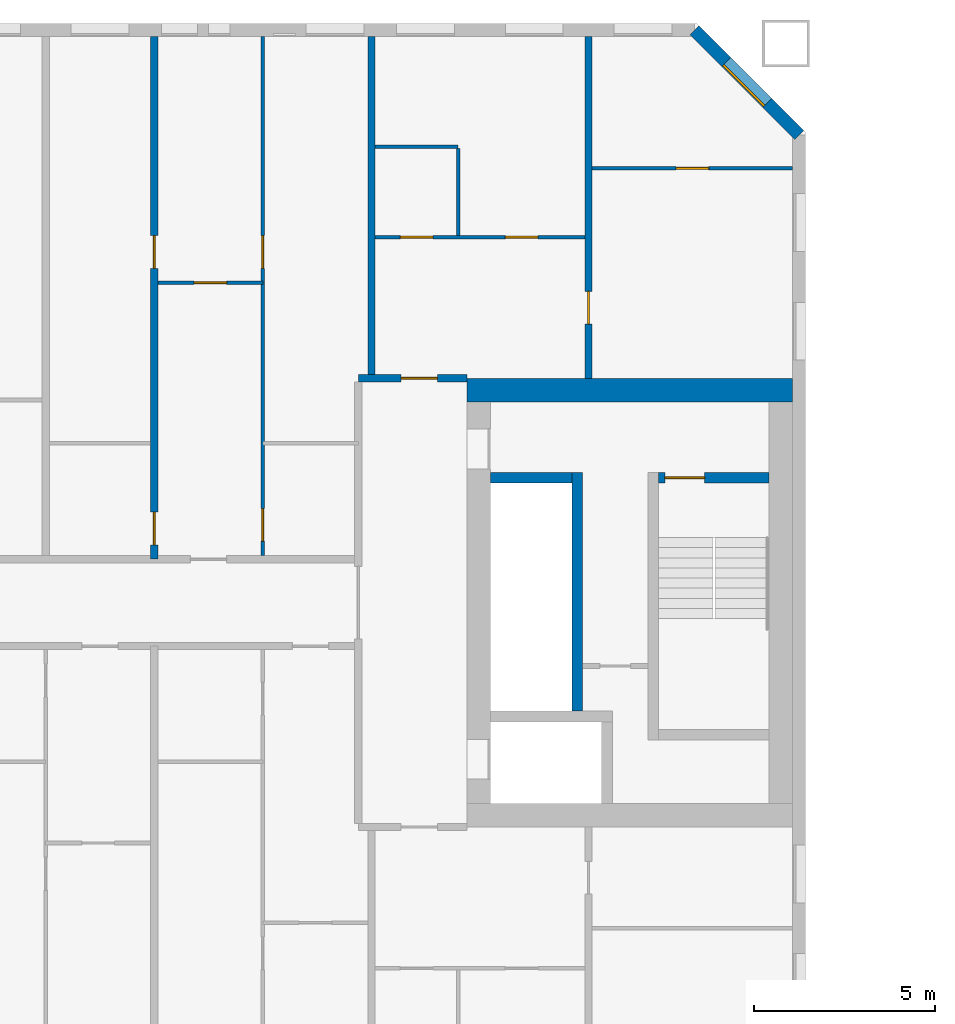
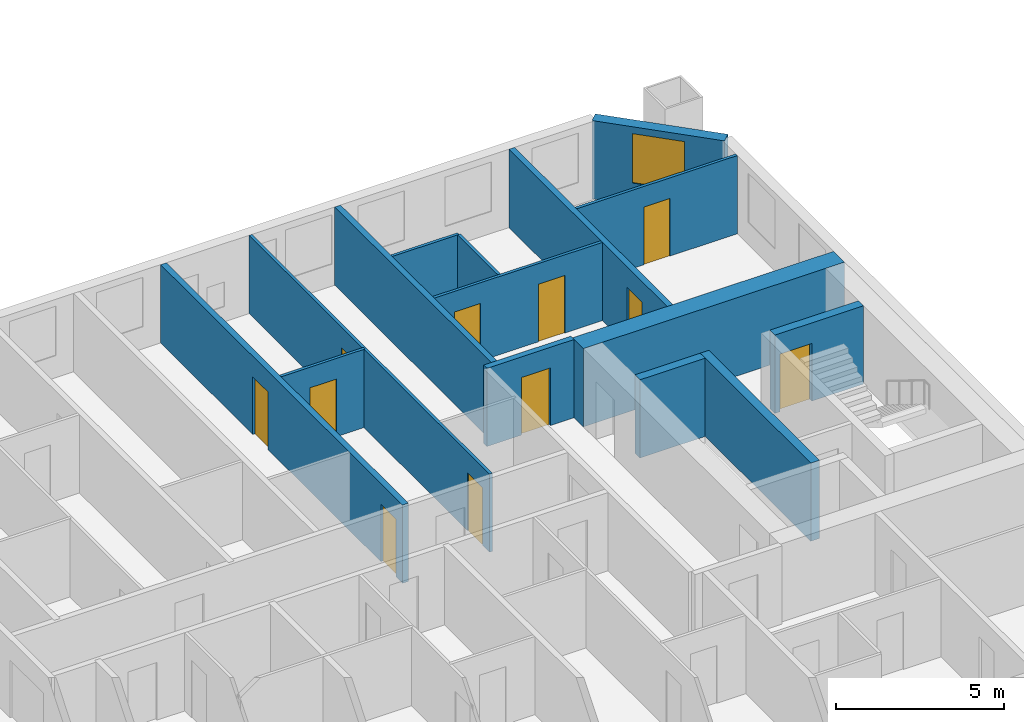
# One storey, part 8 of 17: 15 walls, 11 doors, 1 window, 12 openings.
"""IFC4 building model written with IfcOpenShell, lengths in metres."""

from ifc_helpers import new_model, si_unit, direction, frame, frame_2d, origin, place, context, subcontext, project, spatial, rectangle, extrude, material, layer, layer_set, type_object, element, fill, save


model = new_model("IFC4")

# Units and contexts
model_context = context("Model", 3, precision=1e-05, world=origin(), true_north=direction((0.0, 1.0)))
body_context = subcontext(model_context, "Body", "Model", "MODEL_VIEW")
ifc_project = project(units=[si_unit("LENGTHUNIT", "METRE"), si_unit("AREAUNIT", "SQUARE_METRE"), si_unit("VOLUMEUNIT", "CUBIC_METRE"), si_unit("PLANEANGLEUNIT", "RADIAN"), si_unit("MASSUNIT", "GRAM", prefix="KILO")], contexts=[model_context])

# Site, building, storey
site_placement = place(None, origin())
site = spatial("IfcSite", under=ifc_project, at=site_placement, CompositionType="ELEMENT")
building_placement = place(site_placement, origin())
building = spatial("IfcBuilding", under=site, at=building_placement, Name="Tuart Gate Housing", CompositionType="ELEMENT")
storey_placement = place(building_placement, frame((0.0, 0.0, 105.699951171875)))
storey = spatial("IfcBuildingStorey", under=building, at=storey_placement, Name="L29", CompositionType="ELEMENT", Elevation=105.699951171875)

# Wall, opening, window
ifc_material_1 = material(Name="Brick", Category="masonry")
ifc_layer_1 = layer(ifc_material_1, 0.360107421875)
ifc_layer_set_1 = layer_set([ifc_layer_1], Name="Brick pier and spandrel wall 360")
wall_type_1 = type_object("IfcWallType", Name="Brick pier and spandrel wall 360", PredefinedType="STANDARD", material=ifc_layer_set_1)
wall_1_placement = place(storey_placement, frame((75.820068359375, 82.92529296875, 0.0), z_axis=(0.0, 0.0, 1.0), x_axis=(-0.707106781187, 0.707106781187, 0.0)))
wall_1 = element("IfcWall", 1, at=wall_1_placement, inside=storey, type_object=wall_type_1, Name="External wall A-NE L29", PredefinedType="STANDARD", context=body_context, shape_type="SweptSolid", body=[
    extrude(rectangle(XDim=4.09375, YDim=0.360107421875, at=frame_2d((2.046875, 0.0))), origin(), (0.0, 0.0, 1.0), 2.85009765625),
])
opening_1_placement = place(wall_1_placement, frame((1.2470703125, 0.0, 0.800048828125)))
opening_1 = element("IfcOpeningElement", 2, at=opening_1_placement, cuts=wall_1, Name="Opening W1", PredefinedType="OPENING", context=body_context, shape_type="SweptSolid", body=[
    extrude(rectangle(XDim=1.60009765625, YDim=1.800048828125, at=frame_2d((0.800048828125, 0.89990234375))), frame((0.0, 0.18994140625, 0.0), z_axis=(0.0, -1.0, 0.0), x_axis=(1.0, 0.0, 0.0)), (0.0, 0.0, 1.0), 0.380126953125),
])
ifc_material_2 = material(Name="Aluminium frame with clear glass", Category="aluminium")
window_type = type_object("IfcWindowType", Name="Punched window 1600 x 1800", PartitioningType="SINGLE_PANEL", PredefinedType="WINDOW", material=ifc_material_2)
window_placement = place(opening_1_placement, origin())
window = element("IfcWindow", 3, at=window_placement, inside=storey, type_object=window_type, Name="Window W1", OverallHeight=1.800048828125, OverallWidth=1.60009765625, PartitioningType="SINGLE_PANEL", PredefinedType="WINDOW", context=body_context, shape_type="SweptSolid", body=[
    extrude(rectangle(XDim=1.60009765625, YDim=1.800048828125, at=frame_2d((0.800048828125, 0.89990234375))), frame((0.0, 0.150146484375, 0.0), z_axis=(0.0, -1.0, 0.0), x_axis=(1.0, 0.0, 0.0)), (0.0, 0.0, 1.0), 0.06005859375),
])
fill(opening_1, window)

# Wall
ifc_material_3 = material(Name="Concrete C50", Category="concrete")
ifc_layer_2 = layer(ifc_material_3, 0.300048828125)
ifc_layer_set_2 = layer_set([ifc_layer_2], Name="Core wall 300 C50")
wall_type_2 = type_object("IfcWallType", Name="Core wall 300 C50", PredefinedType="SHEAR", material=ifc_layer_set_2)
wall_2_placement = place(storey_placement, frame((67.2900390625, 73.449951171875, 0.0), z_axis=(0.0, 0.0, 1.0), x_axis=(1.0, 0.0, 0.0)))
element("IfcWall", 4, at=wall_2_placement, inside=storey, type_object=wall_type_2, Name="Core wall AG.4", PredefinedType="SHEAR", context=body_context, shape_type="SweptSolid", body=[
    extrude(rectangle(XDim=2.25, YDim=0.300048828125, at=frame_2d((1.125, 0.0))), origin(), (0.0, 0.0, 1.0), 2.85009765625),
])

# Wall, opening, door
wall_3_placement = place(storey_placement, frame((71.93994140625, 73.449951171875, 0.0), z_axis=(0.0, 0.0, 1.0), x_axis=(1.0, 0.0, 0.0)))
wall_3 = element("IfcWall", 5, at=wall_3_placement, inside=storey, type_object=wall_type_2, Name="Core wall AG.5", PredefinedType="SHEAR", context=body_context, shape_type="SweptSolid", body=[
    extrude(rectangle(XDim=3.050048828125, YDim=0.300048828125, at=frame_2d((1.52490234375, 0.0))), origin(), (0.0, 0.0, 1.0), 2.85009765625),
])
opening_2_placement = place(wall_3_placement, frame((0.169921875, 0.0, 0.0)))
opening_2 = element("IfcOpeningElement", 6, at=opening_2_placement, cuts=wall_3, Name="Opening D1201", PredefinedType="OPENING", context=body_context, shape_type="SweptSolid", body=[
    extrude(rectangle(XDim=1.10009765625, YDim=2.10009765625, at=frame_2d((0.550048828125, 1.050048828125))), frame((0.0, 0.159912109375, 0.0), z_axis=(0.0, -1.0, 0.0), x_axis=(1.0, 0.0, 0.0)), (0.0, 0.0, 1.0), 0.320068359375),
])
ifc_material_4 = material(Name="Steel fire door", Category="steel")
door_type_1 = type_object("IfcDoorType", Name="Stair door 1100 x 2100 RH", OperationType="SINGLE_SWING_RIGHT", PredefinedType="DOOR", material=ifc_material_4)
door_1_placement = place(opening_2_placement, frame((1.10009765625, 0.0, 0.0), z_axis=(0.0, 0.0, 1.0), x_axis=(-1.0, 0.0, 0.0)))
door_1 = element("IfcDoor", 7, at=door_1_placement, inside=storey, type_object=door_type_1, Name="Stair door AG.SD", OperationType="SINGLE_SWING_RIGHT", OverallHeight=2.10009765625, OverallWidth=1.10009765625, PredefinedType="DOOR", context=body_context, shape_type="SweptSolid", body=[
    extrude(rectangle(XDim=1.10009765625, YDim=2.10009765625, at=frame_2d((0.550048828125, 1.050048828125))), frame((0.0, 0.025146484375, 0.0), z_axis=(0.0, -1.0, 0.0), x_axis=(1.0, 0.0, 0.0)), (0.0, 0.0, 1.0), 0.050048828125),
])
fill(opening_2, door_1)

# Walls
wall_4_placement = place(storey_placement, frame((69.68994140625, 67.0, 0.0), z_axis=(0.0, 0.0, 1.0), x_axis=(0.0, 1.0, 0.0)))
element("IfcWall", 8, at=wall_4_placement, inside=storey, type_object=wall_type_2, Name="Core wall AG.6", PredefinedType="SHEAR", context=body_context, shape_type="SweptSolid", body=[
    extrude(rectangle(XDim=6.60009765625, YDim=0.300048828125, at=frame_2d((3.300048828125, 0.0))), origin(), (0.0, 0.0, 1.0), 2.85009765625),
])
ifc_material_5 = material(Name="Concrete C50", Category="concrete")
ifc_layer_3 = layer(ifc_material_5, 0.64990234375)
ifc_layer_set_3 = layer_set([ifc_layer_3], Name="Core wall 650 C50")
wall_type_3 = type_object("IfcWallType", Name="Core wall 650 C50", PredefinedType="SHEAR", material=ifc_layer_set_3)
wall_5_placement = place(storey_placement, frame((66.639892578125, 75.875, 0.0), z_axis=(0.0, 0.0, 1.0), x_axis=(1.0, 0.0, 0.0)))
element("IfcWall", 9, at=wall_5_placement, inside=storey, type_object=wall_type_3, Name="Core wall AG north", PredefinedType="SHEAR", context=body_context, shape_type="SweptSolid", body=[
    extrude(rectangle(XDim=9.0, YDim=0.64990234375, at=frame_2d((4.5, 0.0))), origin(), (0.0, 0.0, 1.0), 2.85009765625),
])

# Wall, opening, door
ifc_material_6 = material(Name="Concrete masonry 15 MPa", Category="masonry")
ifc_layer_4 = layer(ifc_material_6, 0.199951171875)
ifc_layer_set_4 = layer_set([ifc_layer_4], Name="Enclosure wall masonry 200")
wall_type_4 = type_object("IfcWallType", Name="Enclosure wall masonry 200", PredefinedType="PARTITIONING", material=ifc_layer_set_4)
wall_6_placement = place(storey_placement, frame((63.639892578125, 76.199951171875, 0.0), z_axis=(0.0, 0.0, 1.0), x_axis=(1.0, 0.0, 0.0)))
wall_6 = element("IfcWall", 10, at=wall_6_placement, inside=storey, type_object=wall_type_4, Name="Enclosure wall masonry 200", PredefinedType="PARTITIONING", context=body_context, shape_type="SweptSolid", body=[
    extrude(rectangle(XDim=3.0, YDim=0.199951171875, at=frame_2d((1.5, 0.0))), origin(), (0.0, 0.0, 1.0), 2.85009765625),
])
opening_3_placement = place(wall_6_placement, frame((1.179931640625, 0.0, 0.0)))
opening_3 = element("IfcOpeningElement", 11, at=opening_3_placement, cuts=wall_6, Name="Opening D1199", PredefinedType="OPENING", context=body_context, shape_type="SweptSolid", body=[
    extrude(rectangle(XDim=1.0, YDim=2.10009765625, at=frame_2d((0.5, 1.050048828125))), frame((0.0, 0.10986328125, 0.0), z_axis=(0.0, -1.0, 0.0), x_axis=(1.0, 0.0, 0.0)), (0.0, 0.0, 1.0), 0.219970703125),
])
ifc_material_7 = material(Name="Timber door leaf in steel frame", Category="steel")
door_type_2 = type_object("IfcDoorType", Name="Flat entrance door 1000", OperationType="SINGLE_SWING_LEFT", PredefinedType="DOOR", material=ifc_material_7)
door_2_placement = place(opening_3_placement, origin())
door_2 = element("IfcDoor", 12, at=door_2_placement, inside=storey, type_object=door_type_2, Name="Flat entrance door", OperationType="SINGLE_SWING_LEFT", OverallHeight=2.10009765625, OverallWidth=1.0, PredefinedType="DOOR", context=body_context, shape_type="SweptSolid", body=[
    extrude(rectangle(XDim=1.0, YDim=2.10009765625, at=frame_2d((0.5, 1.050048828125))), frame((0.0, 0.02490234375, 0.0), z_axis=(0.0, -1.0, 0.0), x_axis=(1.0, 0.0, 0.0)), (0.0, 0.0, 1.0), 0.050048828125),
])
fill(opening_3, door_2)

ifc_material_8 = material(Name="Gypsum board on steel studs", Category="steel")
ifc_layer_5 = layer(ifc_material_8, 0.10009765625)
ifc_layer_set_5 = layer_set([ifc_layer_5], Name="Partition 100")
wall_type_5 = type_object("IfcWallType", Name="Partition 100", PredefinedType="PARTITIONING", material=ifc_layer_set_5)
wall_7_placement = place(storey_placement, frame((58.10009765625, 78.840087890625, 0.0), z_axis=(0.0, 0.0, 1.0), x_axis=(1.0, 0.0, 0.0)))
wall_7 = element("IfcWall", 13, at=wall_7_placement, inside=storey, type_object=wall_type_5, Name="Partition 100", PredefinedType="PARTITIONING", context=body_context, shape_type="SweptSolid", body=[
    extrude(rectangle(XDim=2.89990234375, YDim=0.10009765625, at=frame_2d((1.449951171875, 0.0))), origin(), (0.0, 0.0, 1.0), 2.85009765625),
])
opening_4_placement = place(wall_7_placement, frame((1.0, 0.0, 0.0)))
opening_4 = element("IfcOpeningElement", 14, at=opening_4_placement, cuts=wall_7, Name="Opening D1186", PredefinedType="OPENING", context=body_context, shape_type="SweptSolid", body=[
    extrude(rectangle(XDim=0.89990234375, YDim=2.10009765625, at=frame_2d((0.449951171875, 1.050048828125))), frame((0.0, 0.06005859375, 0.0), z_axis=(0.0, -1.0, 0.0), x_axis=(1.0, 0.0, 0.0)), (0.0, 0.0, 1.0), 0.1201171875),
])
ifc_material_9 = material(Name="Timber door leaf in steel frame", Category="steel")
door_type_3 = type_object("IfcDoorType", Name="Internal door 900", OperationType="SINGLE_SWING_LEFT", PredefinedType="DOOR", material=ifc_material_9)
door_3_placement = place(opening_4_placement, frame((0.89990234375, 0.0, 0.0), z_axis=(0.0, 0.0, 1.0), x_axis=(-1.0, 0.0, 0.0)))
door_3 = element("IfcDoor", 15, at=door_3_placement, inside=storey, type_object=door_type_3, Name="Internal door", OperationType="SINGLE_SWING_LEFT", OverallHeight=2.10009765625, OverallWidth=0.89990234375, PredefinedType="DOOR", context=body_context, shape_type="SweptSolid", body=[
    extrude(rectangle(XDim=0.89990234375, YDim=2.10009765625, at=frame_2d((0.449951171875, 1.050048828125))), frame((0.0, 0.025146484375, 0.0), z_axis=(0.0, -1.0, 0.0), x_axis=(1.0, 0.0, 0.0)), (0.0, 0.0, 1.0), 0.050048828125),
])
fill(opening_4, door_3)

# Wall, openings, doors
wall_8_placement = place(storey_placement, frame((64.10009765625, 80.10009765625, 0.0), z_axis=(0.0, 0.0, 1.0), x_axis=(1.0, 0.0, 0.0)))
wall_8 = element("IfcWall", 16, at=wall_8_placement, inside=storey, type_object=wall_type_5, Name="Partition 100", PredefinedType="PARTITIONING", context=body_context, shape_type="SweptSolid", body=[
    extrude(rectangle(XDim=5.7998046875, YDim=0.10009765625, at=frame_2d((2.89990234375, 0.0))), origin(), (0.0, 0.0, 1.0), 2.85009765625),
])
opening_5_placement = place(wall_8_placement, frame((3.60009765625, 0.0, 0.0)))
opening_5 = element("IfcOpeningElement", 17, at=opening_5_placement, cuts=wall_8, Name="Opening D1185", PredefinedType="OPENING", context=body_context, shape_type="SweptSolid", body=[
    extrude(rectangle(XDim=0.89990234375, YDim=2.10009765625, at=frame_2d((0.449951171875, 1.050048828125))), frame((0.0, 0.06005859375, 0.0), z_axis=(0.0, -1.0, 0.0), x_axis=(1.0, 0.0, 0.0)), (0.0, 0.0, 1.0), 0.1201171875),
])
opening_6_placement = place(wall_8_placement, frame((0.699951171875, 0.0, 0.0)))
opening_6 = element("IfcOpeningElement", 18, at=opening_6_placement, cuts=wall_8, Name="Opening D1184", PredefinedType="OPENING", context=body_context, shape_type="SweptSolid", body=[
    extrude(rectangle(XDim=0.89990234375, YDim=2.10009765625, at=frame_2d((0.449951171875, 1.050048828125))), frame((0.0, 0.06005859375, 0.0), z_axis=(0.0, -1.0, 0.0), x_axis=(1.0, 0.0, 0.0)), (0.0, 0.0, 1.0), 0.1201171875),
])
ifc_material_10 = material(Name="Timber door leaf in steel frame", Category="steel")
door_type_4 = type_object("IfcDoorType", Name="Bathroom door 900 RH", OperationType="SINGLE_SWING_RIGHT", PredefinedType="DOOR", material=ifc_material_10)
door_4_placement = place(opening_6_placement, origin())
door_4 = element("IfcDoor", 19, at=door_4_placement, inside=storey, type_object=door_type_4, Name="Bathroom door", OperationType="SINGLE_SWING_RIGHT", OverallHeight=2.10009765625, OverallWidth=0.89990234375, PredefinedType="DOOR", context=body_context, shape_type="SweptSolid", body=[
    extrude(rectangle(XDim=0.89990234375, YDim=2.10009765625, at=frame_2d((0.449951171875, 1.050048828125))), frame((0.0, 0.02490234375, 0.0), z_axis=(0.0, -1.0, 0.0), x_axis=(1.0, 0.0, 0.0)), (0.0, 0.0, 1.0), 0.050048828125),
])
fill(opening_6, door_4)
door_5_placement = place(opening_5_placement, origin())
door_5 = element("IfcDoor", 20, at=door_5_placement, inside=storey, type_object=door_type_3, Name="Internal door", OperationType="SINGLE_SWING_LEFT", OverallHeight=2.10009765625, OverallWidth=0.89990234375, PredefinedType="DOOR", context=body_context, shape_type="SweptSolid", body=[
    extrude(rectangle(XDim=0.89990234375, YDim=2.10009765625, at=frame_2d((0.449951171875, 1.050048828125))), frame((0.0, 0.02490234375, 0.0), z_axis=(0.0, -1.0, 0.0), x_axis=(1.0, 0.0, 0.0)), (0.0, 0.0, 1.0), 0.050048828125),
])
fill(opening_5, door_5)

# Wall, opening, door
wall_9_placement = place(storey_placement, frame((70.10009765625, 82.0, 0.0), z_axis=(0.0, 0.0, 1.0), x_axis=(1.0, 0.0, 0.0)))
wall_9 = element("IfcWall", 21, at=wall_9_placement, inside=storey, type_object=wall_type_5, Name="Partition 100", PredefinedType="PARTITIONING", context=body_context, shape_type="SweptSolid", body=[
    extrude(rectangle(XDim=5.539794921875, YDim=0.10009765625, at=frame_2d((2.77001953125, 0.0))), origin(), (0.0, 0.0, 1.0), 2.85009765625),
])
opening_7_placement = place(wall_9_placement, frame((2.320068359375, 0.0, 0.0)))
opening_7 = element("IfcOpeningElement", 22, at=opening_7_placement, cuts=wall_9, Name="Opening D1178", PredefinedType="OPENING", context=body_context, shape_type="SweptSolid", body=[
    extrude(rectangle(XDim=0.89990234375, YDim=2.10009765625, at=frame_2d((0.449951171875, 1.050048828125))), frame((0.0, 0.06005859375, 0.0), z_axis=(0.0, -1.0, 0.0), x_axis=(1.0, 0.0, 0.0)), (0.0, 0.0, 1.0), 0.1201171875),
])
ifc_material_11 = material(Name="Timber door leaf in steel frame", Category="steel")
door_type_5 = type_object("IfcDoorType", Name="Internal door 900 RH", OperationType="SINGLE_SWING_RIGHT", PredefinedType="DOOR", material=ifc_material_11)
door_6_placement = place(opening_7_placement, origin())
door_6 = element("IfcDoor", 23, at=door_6_placement, inside=storey, type_object=door_type_5, Name="Internal door", OperationType="SINGLE_SWING_RIGHT", OverallHeight=2.10009765625, OverallWidth=0.89990234375, PredefinedType="DOOR", context=body_context, shape_type="SweptSolid", body=[
    extrude(rectangle(XDim=0.89990234375, YDim=2.10009765625, at=frame_2d((0.449951171875, 1.050048828125))), frame((0.0, 0.02490234375, 0.0), z_axis=(0.0, -1.0, 0.0), x_axis=(1.0, 0.0, 0.0)), (0.0, 0.0, 1.0), 0.050048828125),
])
fill(opening_7, door_6)

# Wall
wall_10_placement = place(storey_placement, frame((64.10009765625, 82.60009765625, 0.0), z_axis=(0.0, 0.0, 1.0), x_axis=(1.0, 0.0, 0.0)))
element("IfcWall", 24, at=wall_10_placement, inside=storey, type_object=wall_type_5, Name="Partition 100", PredefinedType="PARTITIONING", context=body_context, shape_type="SweptSolid", body=[
    extrude(rectangle(XDim=2.2998046875, YDim=0.10009765625, at=frame_2d((1.14990234375, 0.0))), origin(), (0.0, 0.0, 1.0), 2.85009765625),
])

# Wall, openings, doors
wall_11_placement = place(storey_placement, frame((61.0, 71.300048828125, 0.0), z_axis=(0.0, 0.0, 1.0), x_axis=(0.0, 1.0, 0.0)))
wall_11 = element("IfcWall", 25, at=wall_11_placement, inside=storey, type_object=wall_type_5, Name="Partition 100", PredefinedType="PARTITIONING", context=body_context, shape_type="SweptSolid", body=[
    extrude(rectangle(XDim=14.33984375, YDim=0.10009765625, at=frame_2d((7.169921875, 0.0))), origin(), (0.0, 0.0, 1.0), 2.85009765625),
])
opening_8_placement = place(wall_11_placement, frame((7.93994140625, 0.0, 0.0)))
opening_8 = element("IfcOpeningElement", 26, at=opening_8_placement, cuts=wall_11, Name="Opening D1193", PredefinedType="OPENING", context=body_context, shape_type="SweptSolid", body=[
    extrude(rectangle(XDim=0.89990234375, YDim=2.10009765625, at=frame_2d((0.449951171875, 1.050048828125))), frame((0.0, 0.06005859375, 0.0), z_axis=(0.0, -1.0, 0.0), x_axis=(1.0, 0.0, 0.0)), (0.0, 0.0, 1.0), 0.1201171875),
])
opening_9_placement = place(wall_11_placement, frame((0.39990234375, 0.0, 0.0)))
opening_9 = element("IfcOpeningElement", 27, at=opening_9_placement, cuts=wall_11, Name="Opening D1192", PredefinedType="OPENING", context=body_context, shape_type="SweptSolid", body=[
    extrude(rectangle(XDim=0.89990234375, YDim=2.10009765625, at=frame_2d((0.449951171875, 1.050048828125))), frame((0.0, 0.06005859375, 0.0), z_axis=(0.0, -1.0, 0.0), x_axis=(1.0, 0.0, 0.0)), (0.0, 0.0, 1.0), 0.1201171875),
])
door_7_placement = place(opening_9_placement, frame((0.89990234375, 0.0, 0.0), z_axis=(0.0, 0.0, 1.0), x_axis=(-1.0, 0.0, 0.0)))
door_7 = element("IfcDoor", 28, at=door_7_placement, inside=storey, type_object=door_type_4, Name="Bathroom door", OperationType="SINGLE_SWING_RIGHT", OverallHeight=2.10009765625, OverallWidth=0.89990234375, PredefinedType="DOOR", context=body_context, shape_type="SweptSolid", body=[
    extrude(rectangle(XDim=0.89990234375, YDim=2.10009765625, at=frame_2d((0.449951171875, 1.050048828125))), frame((0.0, 0.025146484375, 0.0), z_axis=(0.0, -1.0, 0.0), x_axis=(1.0, 0.0, 0.0)), (0.0, 0.0, 1.0), 0.050048828125),
])
fill(opening_9, door_7)
door_8_placement = place(opening_8_placement, frame((0.89990234375, 0.0, 0.0), z_axis=(0.0, 0.0, 1.0), x_axis=(-1.0, 0.0, 0.0)))
door_8 = element("IfcDoor", 29, at=door_8_placement, inside=storey, type_object=door_type_5, Name="Internal door", OperationType="SINGLE_SWING_RIGHT", OverallHeight=2.10009765625, OverallWidth=0.89990234375, PredefinedType="DOOR", context=body_context, shape_type="SweptSolid", body=[
    extrude(rectangle(XDim=0.89990234375, YDim=2.10009765625, at=frame_2d((0.449951171875, 1.050048828125))), frame((0.0, 0.025146484375, 0.0), z_axis=(0.0, -1.0, 0.0), x_axis=(1.0, 0.0, 0.0)), (0.0, 0.0, 1.0), 0.050048828125),
])
fill(opening_8, door_8)

# Wall
wall_12_placement = place(storey_placement, frame((66.39990234375, 80.14990234375, 0.0), z_axis=(0.0, 0.0, 1.0), x_axis=(0.0, 1.0, 0.0)))
element("IfcWall", 30, at=wall_12_placement, inside=storey, type_object=wall_type_5, Name="Partition 100", PredefinedType="PARTITIONING", context=body_context, shape_type="SweptSolid", body=[
    extrude(rectangle(XDim=2.400146484375, YDim=0.10009765625, at=frame_2d((1.2001953125, 0.0))), origin(), (0.0, 0.0, 1.0), 2.85009765625),
])

# Wall, openings, doors
ifc_material_12 = material(Name="Concrete C40", Category="concrete")
ifc_layer_6 = layer(ifc_material_12, 0.199951171875)
ifc_layer_set_6 = layer_set([ifc_layer_6], Name="Party wall concrete C40 200")
wall_type_6 = type_object("IfcWallType", Name="Party wall concrete C40 200", PredefinedType="SOLIDWALL", material=ifc_layer_set_6)
wall_13_placement = place(storey_placement, frame((58.0, 71.199951171875, 0.0), z_axis=(0.0, 0.0, 1.0), x_axis=(0.0, 1.0, 0.0)))
wall_13 = element("IfcWall", 31, at=wall_13_placement, inside=storey, type_object=wall_type_6, Name="Party wall concrete C40 200", PredefinedType="SOLIDWALL", context=body_context, shape_type="SweptSolid", body=[
    extrude(rectangle(XDim=14.43994140625, YDim=0.199951171875, at=frame_2d((7.219970703125, 0.0))), origin(), (0.0, 0.0, 1.0), 2.85009765625),
])
opening_10_placement = place(wall_13_placement, frame((8.0400390625, 0.0, 0.0)))
opening_10 = element("IfcOpeningElement", 32, at=opening_10_placement, cuts=wall_13, Name="Opening D1197", PredefinedType="OPENING", context=body_context, shape_type="SweptSolid", body=[
    extrude(rectangle(XDim=0.89990234375, YDim=2.10009765625, at=frame_2d((0.449951171875, 1.050048828125))), frame((0.0, 0.10986328125, 0.0), z_axis=(0.0, -1.0, 0.0), x_axis=(1.0, 0.0, 0.0)), (0.0, 0.0, 1.0), 0.219970703125),
])
opening_11_placement = place(wall_13_placement, frame((0.39990234375, 0.0, 0.0)))
opening_11 = element("IfcOpeningElement", 33, at=opening_11_placement, cuts=wall_13, Name="Opening D1196", PredefinedType="OPENING", context=body_context, shape_type="SweptSolid", body=[
    extrude(rectangle(XDim=0.89990234375, YDim=2.10009765625, at=frame_2d((0.449951171875, 1.050048828125))), frame((0.0, 0.10986328125, 0.0), z_axis=(0.0, -1.0, 0.0), x_axis=(1.0, 0.0, 0.0)), (0.0, 0.0, 1.0), 0.219970703125),
])
ifc_material_13 = material(Name="Timber door leaf in steel frame", Category="steel")
door_type_6 = type_object("IfcDoorType", Name="Bathroom door 900", OperationType="SINGLE_SWING_LEFT", PredefinedType="DOOR", material=ifc_material_13)
door_9_placement = place(opening_11_placement, origin())
door_9 = element("IfcDoor", 34, at=door_9_placement, inside=storey, type_object=door_type_6, Name="Bathroom door", OperationType="SINGLE_SWING_LEFT", OverallHeight=2.10009765625, OverallWidth=0.89990234375, PredefinedType="DOOR", context=body_context, shape_type="SweptSolid", body=[
    extrude(rectangle(XDim=0.89990234375, YDim=2.10009765625, at=frame_2d((0.449951171875, 1.050048828125))), frame((0.0, 0.02490234375, 0.0), z_axis=(0.0, -1.0, 0.0), x_axis=(1.0, 0.0, 0.0)), (0.0, 0.0, 1.0), 0.050048828125),
])
fill(opening_11, door_9)
door_10_placement = place(opening_10_placement, origin())
door_10 = element("IfcDoor", 35, at=door_10_placement, inside=storey, type_object=door_type_3, Name="Internal door", OperationType="SINGLE_SWING_LEFT", OverallHeight=2.10009765625, OverallWidth=0.89990234375, PredefinedType="DOOR", context=body_context, shape_type="SweptSolid", body=[
    extrude(rectangle(XDim=0.89990234375, YDim=2.10009765625, at=frame_2d((0.449951171875, 1.050048828125))), frame((0.0, 0.02490234375, 0.0), z_axis=(0.0, -1.0, 0.0), x_axis=(1.0, 0.0, 0.0)), (0.0, 0.0, 1.0), 0.050048828125),
])
fill(opening_10, door_10)

# Wall
wall_14_placement = place(storey_placement, frame((64.0, 76.199951171875, 0.0), z_axis=(0.0, 0.0, 1.0), x_axis=(0.0, 1.0, 0.0)))
element("IfcWall", 36, at=wall_14_placement, inside=storey, type_object=wall_type_6, Name="Party wall concrete C40 200", PredefinedType="SOLIDWALL", context=body_context, shape_type="SweptSolid", body=[
    extrude(rectangle(XDim=9.43994140625, YDim=0.199951171875, at=frame_2d((4.719970703125, 0.0))), origin(), (0.0, 0.0, 1.0), 2.85009765625),
])

# Wall, opening, door
wall_15_placement = place(storey_placement, frame((70.0, 76.199951171875, 0.0), z_axis=(0.0, 0.0, 1.0), x_axis=(0.0, 1.0, 0.0)))
wall_15 = element("IfcWall", 37, at=wall_15_placement, inside=storey, type_object=wall_type_6, Name="Party wall concrete C40 200", PredefinedType="SOLIDWALL", context=body_context, shape_type="SweptSolid", body=[
    extrude(rectangle(XDim=9.43994140625, YDim=0.199951171875, at=frame_2d((4.719970703125, 0.0))), origin(), (0.0, 0.0, 1.0), 2.85009765625),
])
opening_12_placement = place(wall_15_placement, frame((1.5, 0.0, 0.0)))
opening_12 = element("IfcOpeningElement", 38, at=opening_12_placement, cuts=wall_15, Name="Opening D1179", PredefinedType="OPENING", context=body_context, shape_type="SweptSolid", body=[
    extrude(rectangle(XDim=0.89990234375, YDim=2.10009765625, at=frame_2d((0.449951171875, 1.050048828125))), frame((0.0, 0.10986328125, 0.0), z_axis=(0.0, -1.0, 0.0), x_axis=(1.0, 0.0, 0.0)), (0.0, 0.0, 1.0), 0.219970703125),
])
door_11_placement = place(opening_12_placement, origin())
door_11 = element("IfcDoor", 39, at=door_11_placement, inside=storey, type_object=door_type_3, Name="Internal door", OperationType="SINGLE_SWING_LEFT", OverallHeight=2.10009765625, OverallWidth=0.89990234375, PredefinedType="DOOR", context=body_context, shape_type="SweptSolid", body=[
    extrude(rectangle(XDim=0.89990234375, YDim=2.10009765625, at=frame_2d((0.449951171875, 1.050048828125))), frame((0.0, 0.02490234375, 0.0), z_axis=(0.0, -1.0, 0.0), x_axis=(1.0, 0.0, 0.0)), (0.0, 0.0, 1.0), 0.050048828125),
])
fill(opening_12, door_11)

save(model, "model.ifc")
